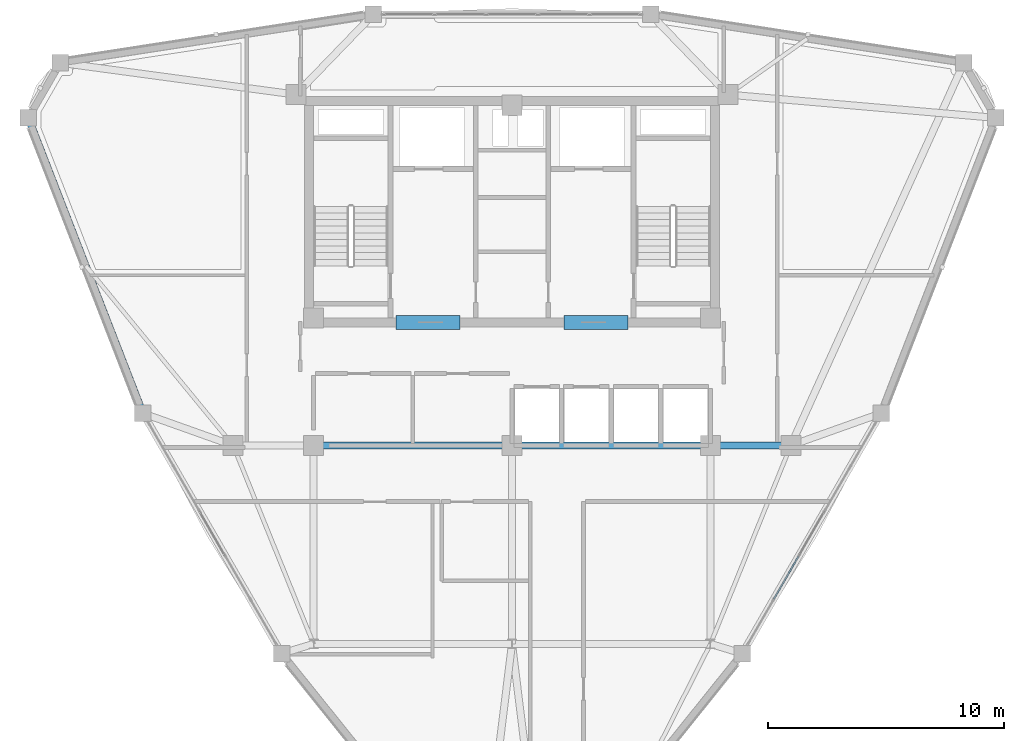
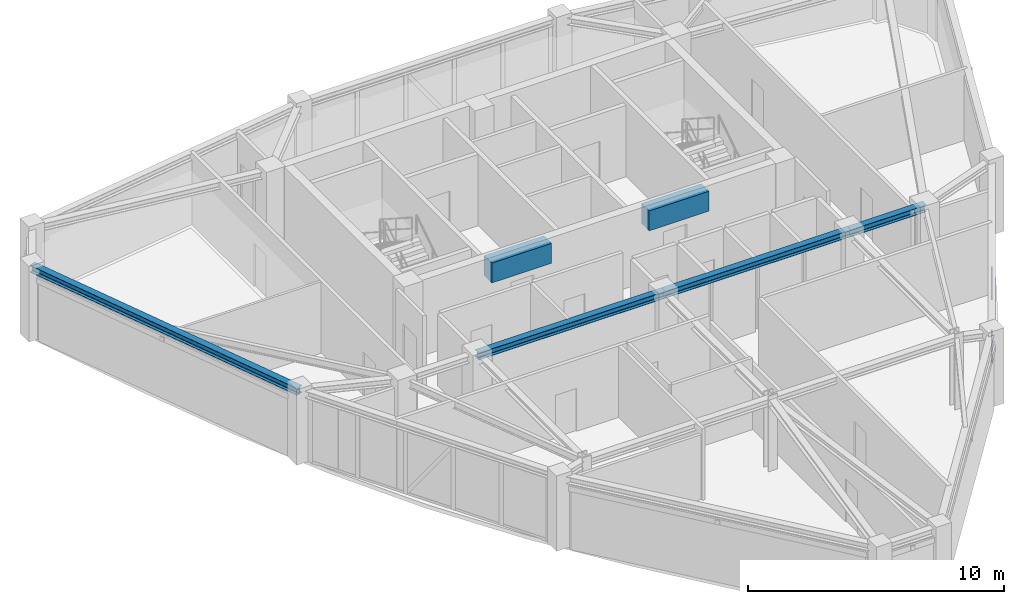
# One storey, part 6 of 15: 6 beams, 2 members, 1 element without a shape of its own.
"""IFC4 building model written with IfcOpenShell, lengths in metres."""

from ifc_helpers import new_model, si_unit, derived_unit, direction, frame, origin, origin_2d, place, context, subcontext, project, spatial, rectangle, hollow_rectangle, i_section, extrude, source, transform, mapped, material, layer, layer_set, material_profile, profile_set, type_object, element, aggregate, save


model = new_model("IFC4")

# Units and contexts
model_context = context("Model", 3, precision=1e-05, world=origin(), true_north=direction((0.0, 1.0)))
body_context = subcontext(model_context, "Body", "Model", "MODEL_VIEW")
ifc_project = project(units=[si_unit("LENGTHUNIT", "METRE"), si_unit("AREAUNIT", "SQUARE_METRE"), si_unit("VOLUMEUNIT", "CUBIC_METRE"), si_unit("PLANEANGLEUNIT", "RADIAN"), si_unit("MASSUNIT", "GRAM", prefix="KILO"), derived_unit("THERMALTRANSMITTANCEUNIT", [(si_unit("POWERUNIT", "WATT"), 1), (si_unit("LENGTHUNIT", "METRE"), -2), (si_unit("THERMODYNAMICTEMPERATUREUNIT", "KELVIN"), -1)])], contexts=[model_context])

# Site, building, storey
site_placement = place(None, origin())
site = spatial("IfcSite", under=ifc_project, at=site_placement, CompositionType="ELEMENT")
building_placement = place(site_placement, origin())
building = spatial("IfcBuilding", under=site, at=building_placement, Name="Korsvarv Bourse and Concert Hall", CompositionType="ELEMENT")
storey_placement = place(building_placement, frame((0.0, 0.0, 264.60009765625)))
storey = spatial("IfcBuildingStorey", under=building, at=storey_placement, Name="L69", CompositionType="ELEMENT", Elevation=264.60009765625)

# Beams
ifc_material_1 = material(Name="Concrete C55/67", Category="concrete")
ifc_material_profile_1 = material_profile(ifc_material_1, rectangle(XDim=0.60009765625, YDim=0.949951171875, at=origin_2d()), Name="RC-BM 600x950")
ifc_profile_set_1 = profile_set([ifc_material_profile_1], Name="Concrete C55/67")
beam_type_1 = type_object("IfcBeamType", Name="BM-CPL", PredefinedType="LINTEL", material=ifc_profile_set_1)
shared_shape_1 = source(origin(), body_context, "Body", "SweptSolid", [
    extrude(rectangle(XDim=0.60009765625, YDim=0.949951171875, at=origin_2d()), origin(), (0.0, 0.0, 1.0), 2.699951171875),
])
for number, where, z_axis, x_axis, name in (
    (1, (31.10009765625, 37.610107421875, 2.934814453125), (1.0, 0.0, 0.0), (0.0, 1.0, 0.0), "L69 Core Coupling Beam West"),
    (2, (38.199951171875, 37.610107421875, 2.934814453125), (1.0, 0.0, 0.0), (0.0, 1.0, 0.0), "L69 Core Coupling Beam East"),
):
    element("IfcBeam", number, at=place(storey_placement, frame(where, z_axis=z_axis, x_axis=x_axis)), inside=storey, type_object=beam_type_1, Name=name, PredefinedType="LINTEL", context=body_context, shape_type="MappedRepresentation", body=[
        mapped(shared_shape_1, transform((0.0, 0.0, 0.0), scale=1.0)),
    ])
ifc_material_2 = material(Name="Steel S355", Category="steel")
ifc_material_profile_2 = material_profile(ifc_material_2, i_section(OverallWidth=0.300048828125, OverallDepth=0.330078125, WebThickness=0.009521484375, FlangeThickness=0.0166015625, FilletRadius=0.02099609375, at=origin_2d()), Name="HEA 340")
ifc_profile_set_2 = profile_set([ifc_material_profile_2], Name="Steel S355")
beam_type_2 = type_object("IfcBeamType", Name="BM-HEA340", PredefinedType="BEAM", material=ifc_profile_set_2)
shared_shape_2 = source(origin(), body_context, "Body", "SweptSolid", [
    extrude(i_section(OverallWidth=0.300048828125, OverallDepth=0.330078125, WebThickness=0.009521484375, FlangeThickness=0.0166015625, FilletRadius=0.02099609375, at=origin_2d()), origin(), (0.0, 0.0, 1.0), 3.400146484375),
])
beam_1_placement = place(storey_placement, frame((44.39990234375, 32.39990234375, 3.244873046875), z_axis=(1.0, 0.0, 0.0), x_axis=(0.0, 1.0, 0.0)))
element("IfcBeam", 3, at=beam_1_placement, inside=storey, type_object=beam_type_2, Name="L69 beam B-12", PredefinedType="BEAM", context=body_context, shape_type="MappedRepresentation", body=[
    mapped(shared_shape_2, transform((0.0, 0.0, 0.0), scale=1.0)),
])
shared_shape_3 = source(origin(), body_context, "Body", "SweptSolid", [
    extrude(i_section(OverallWidth=0.300048828125, OverallDepth=0.330078125, WebThickness=0.009521484375, FlangeThickness=0.0166015625, FilletRadius=0.02099609375, at=origin_2d()), origin(), (0.0, 0.0, 1.0), 8.39990234375),
])
for number, where, z_axis, x_axis, name in (
    (4, (27.60009765625, 32.39990234375, 3.244873046875), (1.0, 0.0, 0.0), (0.0, 1.0, 0.0), "L69 beam B-12"),
    (5, (36.0, 32.39990234375, 3.244873046875), (1.0, 0.0, 0.0), (0.0, 1.0, 0.0), "L69 beam B-12"),
):
    element("IfcBeam", number, at=place(storey_placement, frame(where, z_axis=z_axis, x_axis=x_axis)), inside=storey, type_object=beam_type_2, Name=name, PredefinedType="BEAM", context=body_context, shape_type="MappedRepresentation", body=[
        mapped(shared_shape_3, transform((0.0, 0.0, 0.0), scale=1.0)),
    ])
shared_shape_4 = source(origin(), body_context, "Body", "SweptSolid", [
    extrude(i_section(OverallWidth=0.300048828125, OverallDepth=0.330078125, WebThickness=0.009521484375, FlangeThickness=0.0166015625, FilletRadius=0.02099609375, at=origin_2d()), origin(), (0.0, 0.0, 1.0), 13.415771484375),
])
beam_2_placement = place(storey_placement, frame((15.52587890625, 46.266357421875, 3.244873046875), z_axis=(0.361883280092, -0.932223412917, 0.0), x_axis=(0.932223412917, 0.361883280092, 0.0)))
element("IfcBeam", 6, at=beam_2_placement, inside=storey, type_object=beam_type_2, Name="L69 beam B-12", PredefinedType="BEAM", context=body_context, shape_type="MappedRepresentation", body=[
    mapped(shared_shape_4, transform((0.0, 0.0, 0.0), scale=1.0)),
])

# Curtain wall, members
ifc_material_3 = material(Name="Anodised aluminium and triple low-E glazing", Category="glass")
ifc_layer = layer(ifc_material_3, 0.199951171875)
ifc_layer_set = layer_set([ifc_layer], Name="Anodised aluminium and triple low-E glazing")
curtain_wall_type = type_object("IfcCurtainWallType", Name="CW-SYS-3", PredefinedType="NOTDEFINED", material=ifc_layer_set)
curtain_wall_placement = place(storey_placement, origin())
curtain_wall = element("IfcCurtainWall", 7, at=curtain_wall_placement, inside=storey, type_object=curtain_wall_type, Name="L69 CW3 curtain wall CW-L69-F11", PredefinedType="NOTDEFINED")
ifc_material_4 = material(Name="Extruded aluminium EN AW-6063 T66", Category="aluminium")
ifc_material_profile_3 = material_profile(ifc_material_4, hollow_rectangle(XDim=0.06494140625, YDim=0.139892578125, WallThickness=0.00390625, at=origin_2d()), Name="ALU-T 65x140")
ifc_profile_set_3 = profile_set([ifc_material_profile_3], Name="Extruded aluminium EN AW-6063 T66")
member_type = type_object("IfcMemberType", Name="CWT-140", PredefinedType="USERDEFINED", material=ifc_profile_set_3)
shared_shape_5 = source(origin(), body_context, "Body", "SweptSolid", [
    extrude(hollow_rectangle(XDim=0.06494140625, YDim=0.139892578125, WallThickness=0.00390625, at=origin_2d()), origin(), (0.0, 0.0, 1.0), 2.09326171875),
])
member_1_placement = place(storey_placement, frame((47.07958984375, 25.89697265625, 0.032470703125), z_axis=(0.5000152428, 0.866016603171, 0.0), x_axis=(-0.866016603171, 0.5000152428, 0.0)))
member_1 = element("IfcMember", 8, at=member_1_placement, type_object=member_type, Name="CW3 transom 2.1", ObjectType="TRANSOM", PredefinedType="USERDEFINED", context=body_context, shape_type="MappedRepresentation", body=[
    mapped(shared_shape_5, transform((0.0, 0.0, 0.0), scale=1.0)),
])
member_2_placement = place(storey_placement, frame((47.07958984375, 25.89697265625, 3.04736328125), z_axis=(0.5000152428, 0.866016603171, 0.0), x_axis=(-0.866016603171, 0.5000152428, 0.0)))
member_2 = element("IfcMember", 9, at=member_2_placement, type_object=member_type, Name="CW3 transom 2.2", ObjectType="TRANSOM", PredefinedType="USERDEFINED", context=body_context, shape_type="MappedRepresentation", body=[
    mapped(shared_shape_5, transform((0.0, 0.0, 0.0), scale=1.0)),
])
aggregate(curtain_wall, [member_1, member_2])

save(model, "model.ifc")
